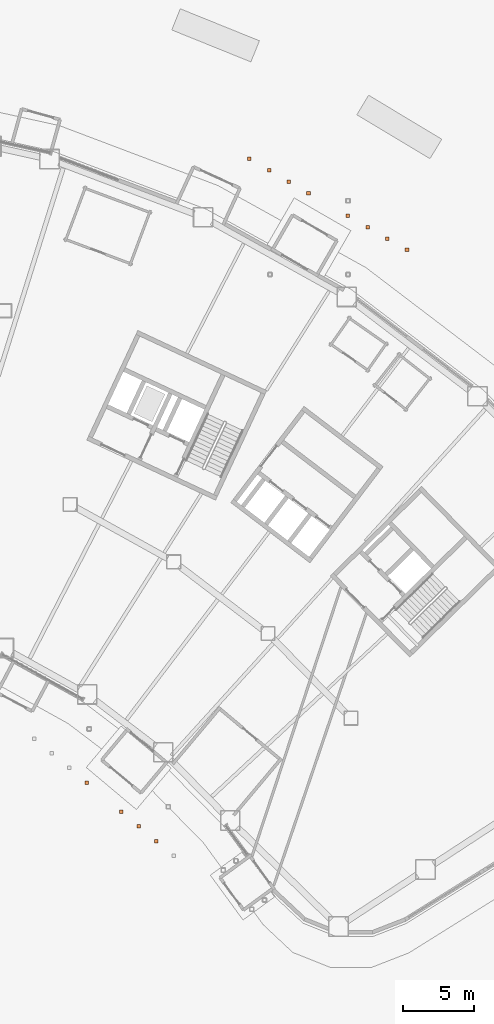
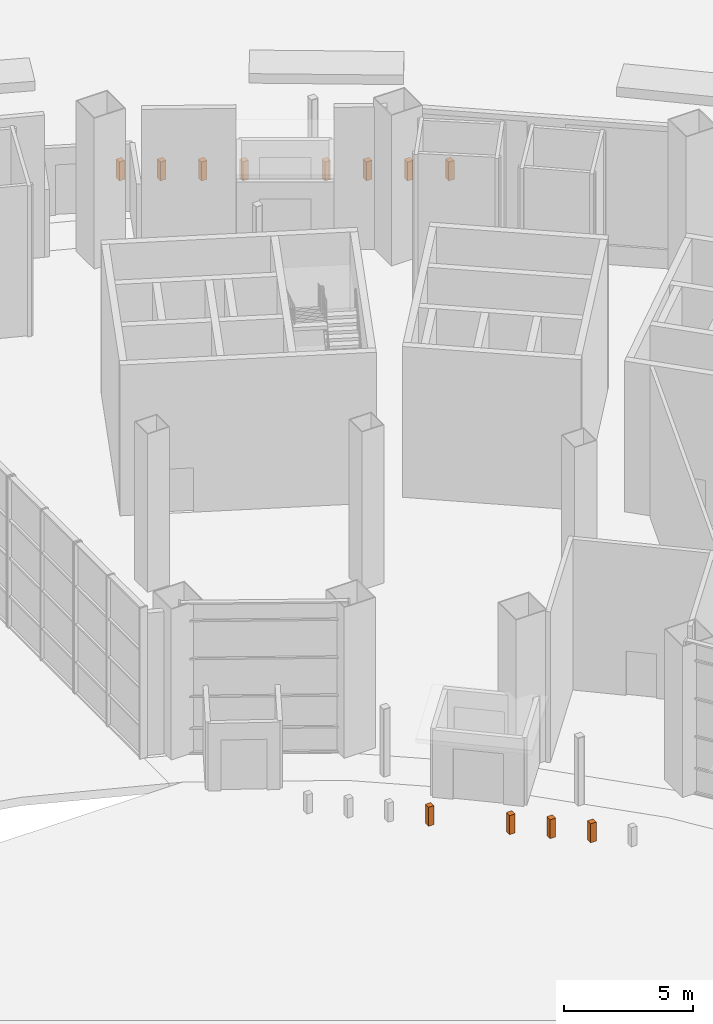
# One storey, part 45 of 45: 12 proxies.
"""IFC4 building model written with IfcOpenShell, lengths in metres."""

from ifc_helpers import new_model, si_unit, direction, frame, origin, origin_2d, place, context, subcontext, project, spatial, rectangle, extrude, material, type_object, element, save


model = new_model("IFC4")

# Units and contexts
model_context = context("Model", 3, precision=1e-05, world=origin(), true_north=direction((0.0, 1.0)))
body_context = subcontext(model_context, "Body", "Model", "MODEL_VIEW")
ifc_project = project(units=[si_unit("LENGTHUNIT", "METRE"), si_unit("AREAUNIT", "SQUARE_METRE"), si_unit("VOLUMEUNIT", "CUBIC_METRE"), si_unit("PLANEANGLEUNIT", "RADIAN"), si_unit("MASSUNIT", "GRAM", prefix="KILO")], contexts=[model_context])

# Site, building, storey
site_placement = place(None, origin())
site = spatial("IfcSite", under=ifc_project, at=site_placement, CompositionType="ELEMENT")
building_placement = place(site_placement, origin())
building = spatial("IfcBuilding", under=site, at=building_placement, Name="Tuul Gate Civic Tower", CompositionType="ELEMENT")
storey_placement = place(building_placement, origin())
storey = spatial("IfcBuildingStorey", under=building, at=storey_placement, Name="Level 00", CompositionType="ELEMENT", Elevation=0.0)

# Proxies
ifc_material = material(Name="Stainless steel", Category="steel")
building_element_proxy_type = type_object("IfcBuildingElementProxyType", Name="Security bollard", PredefinedType="USERDEFINED", material=ifc_material)
for number, where, z_axis, x_axis, name in (
    (1, (25.390380859375, -27.251708984375, 0.0), (0.0, 0.0, 1.0), (1.0, 0.0, 0.0), "Security bollard"),
    (2, (27.841796875, -29.30859375, 0.0), (0.0, 0.0, 1.0), (1.0, 0.0, 0.0), "Security bollard"),
    (3, (29.0673828125, -30.337158203125, 0.0), (0.0, 0.0, 1.0), (1.0, 0.0, 0.0), "Security bollard"),
    (4, (30.293212890625, -31.365478515625, 0.0), (0.0, 0.0, 1.0), (1.0, 0.0, 0.0), "Security bollard"),
    (5, (47.92626953125, 10.2109375, 0.0), (0.0, 0.0, 1.0), (1.0, 0.0, 0.0), "Security bollard"),
    (6, (46.540771484375, 11.010986328125, 0.0), (0.0, 0.0, 1.0), (1.0, 0.0, 0.0), "Security bollard"),
    (7, (45.155029296875, 11.81103515625, 0.0), (0.0, 0.0, 1.0), (1.0, 0.0, 0.0), "Security bollard"),
    (8, (43.76953125, 12.61083984375, 0.0), (0.0, 0.0, 1.0), (1.0, 0.0, 0.0), "Security bollard"),
    (9, (40.998291015625, 14.2109375, 0.0), (0.0, 0.0, 1.0), (1.0, 0.0, 0.0), "Security bollard"),
    (10, (39.612548828125, 15.010986328125, 0.0), (0.0, 0.0, 1.0), (1.0, 0.0, 0.0), "Security bollard"),
    (11, (38.226806640625, 15.81103515625, 0.0), (0.0, 0.0, 1.0), (1.0, 0.0, 0.0), "Security bollard"),
    (12, (36.84130859375, 16.61083984375, 0.0), (0.0, 0.0, 1.0), (1.0, 0.0, 0.0), "Security bollard"),
):
    element("IfcBuildingElementProxy", number, at=place(storey_placement, frame(where, z_axis=z_axis, x_axis=x_axis)), inside=storey, type_object=building_element_proxy_type, Name=name, ObjectType="BOLLARD", PredefinedType="USERDEFINED", context=body_context, shape_type="SweptSolid", body=[
        extrude(rectangle(XDim=0.25, YDim=0.25, at=origin_2d()), origin(), (0.0, 0.0, 1.0), 0.89990234375),
    ])

save(model, "model.ifc")
